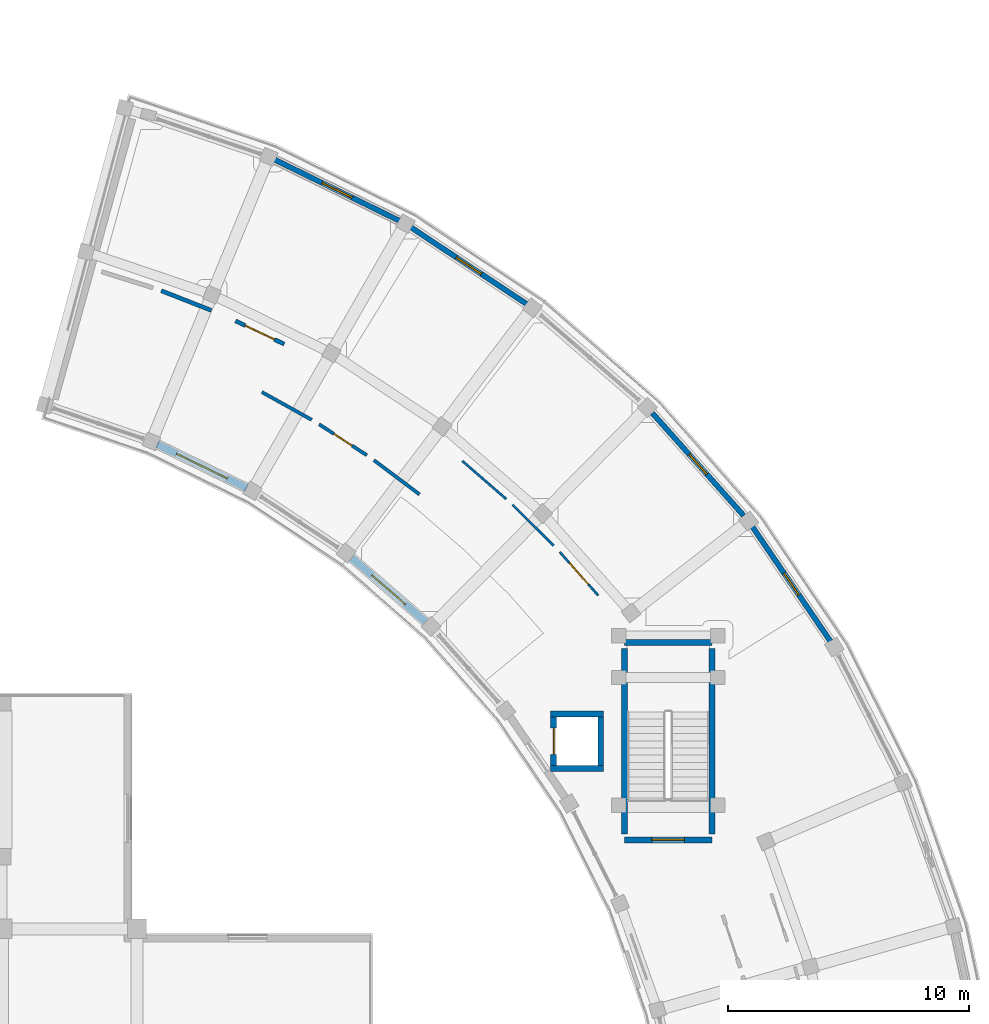
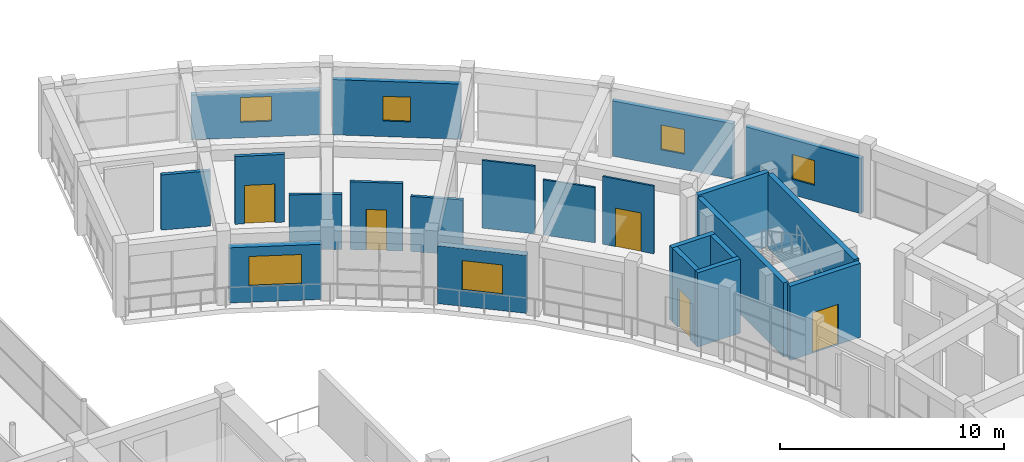
# One storey, part 53 of 70: 22 walls, 6 windows, 5 doors, 11 openings.
"""IFC4 building model written with IfcOpenShell, lengths in metres."""

from ifc_helpers import new_model, si_unit, direction, frame, frame_2d, origin, place, context, subcontext, project, spatial, rectangle, extrude, material, layer, layer_set, type_object, element, fill, save


model = new_model("IFC4")

# Units and contexts
model_context = context("Model", 3, precision=1e-05, world=origin(), true_north=direction((0.0, 1.0)))
body_context = subcontext(model_context, "Body", "Model", "MODEL_VIEW")
ifc_project = project(units=[si_unit("LENGTHUNIT", "METRE"), si_unit("AREAUNIT", "SQUARE_METRE"), si_unit("VOLUMEUNIT", "CUBIC_METRE"), si_unit("PLANEANGLEUNIT", "RADIAN"), si_unit("MASSUNIT", "GRAM", prefix="KILO")], contexts=[model_context])

# Site, building, storey
site_placement = place(None, origin())
site = spatial("IfcSite", under=ifc_project, at=site_placement, CompositionType="ELEMENT")
building_placement = place(site_placement, origin())
building = spatial("IfcBuilding", under=site, at=building_placement, Name="Saryqyr Civic Hall", CompositionType="ELEMENT")
storey_placement = place(building_placement, frame((0.0, 0.0, 13.199951171875)))
storey = spatial("IfcBuildingStorey", under=building, at=storey_placement, Name="L03", CompositionType="ELEMENT", Elevation=13.199951171875)

# Wall, opening, window
ifc_material_1 = material(Name="Precast concrete C40/50", Category="concrete")
ifc_layer_1 = layer(ifc_material_1, 0.219970703125, Name="Precast concrete C40/50")
ifc_layer_set_1 = layer_set([ifc_layer_1], Name="Precast concrete C40/50")
wall_type_1 = type_object("IfcWallType", Name="ENV-WAL-EXT-220", PredefinedType="STANDARD", material=ifc_layer_set_1)
wall_1_placement = place(storey_placement, frame((95.785888671875, 113.91552734375, 0.0), z_axis=(0.0, 0.0, 1.0), x_axis=(0.563132935525, -0.826366321269, 0.0)))
wall_1 = element("IfcWall", 1, at=wall_1_placement, inside=storey, type_object=wall_type_1, Name="Exterior wall V6-EWO-L03-04", PredefinedType="STANDARD", context=body_context, shape_type="SweptSolid", body=[
    extrude(rectangle(XDim=5.759521484375, YDim=0.219970703125, at=frame_2d((2.8798828125, 0.0))), origin(), (0.0, 0.0, 1.0), 3.01513671875),
])
opening_1_placement = place(wall_1_placement, frame((2.330078125, 0.0, 0.85009765625)))
opening_1 = element("IfcOpeningElement", 2, at=opening_1_placement, cuts=wall_1, Name="Opening W-01", PredefinedType="OPENING", context=body_context, shape_type="SweptSolid", body=[
    extrude(rectangle(XDim=1.10009765625, YDim=1.35009765625, at=frame_2d((0.550048828125, 0.675048828125))), frame((0.0, 0.119873046875, 0.0), z_axis=(0.0, -1.0, 0.0), x_axis=(1.0, 0.0, 0.0)), (0.0, 0.0, 1.0), 0.239990234375),
])
ifc_material_2 = material(Name="Anodised aluminium and triple low-E glass", Category="aluminium")
window_type_1 = type_object("IfcWindowType", Name="ENV-WIN-W01", PartitioningType="SINGLE_PANEL", PredefinedType="WINDOW", material=ifc_material_2)
window_1_placement = place(opening_1_placement, origin())
window_1 = element("IfcWindow", 3, at=window_1_placement, inside=storey, type_object=window_type_1, Name="Exterior ribbon window V6-L03-04", OverallHeight=1.35009765625, OverallWidth=1.10009765625, PartitioningType="SINGLE_PANEL", PredefinedType="WINDOW", context=body_context, shape_type="SweptSolid", body=[
    extrude(rectangle(XDim=1.10009765625, YDim=1.35009765625, at=frame_2d((0.550048828125, 0.675048828125))), frame((0.0, 0.030029296875, 0.0), z_axis=(0.0, -1.0, 0.0), x_axis=(1.0, 0.0, 0.0)), (0.0, 0.0, 1.0), 0.06005859375),
])
fill(opening_1, window_1)

wall_2_placement = place(storey_placement, frame((91.626953125, 118.642333984375, 0.0), z_axis=(0.0, 0.0, 1.0), x_axis=(0.6649220167, -0.746912787217, 0.0)))
wall_2 = element("IfcWall", 4, at=wall_2_placement, inside=storey, type_object=wall_type_1, Name="Exterior wall V6-EWO-L03-05", PredefinedType="STANDARD", context=body_context, shape_type="SweptSolid", body=[
    extrude(rectangle(XDim=5.69921875, YDim=0.219970703125, at=frame_2d((2.849609375, 0.0))), origin(), (0.0, 0.0, 1.0), 3.01513671875),
])
opening_2_placement = place(wall_2_placement, frame((2.300048828125, 0.0, 0.85009765625)))
opening_2 = element("IfcOpeningElement", 5, at=opening_2_placement, cuts=wall_2, Name="Opening W-01", PredefinedType="OPENING", context=body_context, shape_type="SweptSolid", body=[
    extrude(rectangle(XDim=1.10009765625, YDim=1.35009765625, at=frame_2d((0.550048828125, 0.675048828125))), frame((0.0, 0.119873046875, 0.0), z_axis=(0.0, -1.0, 0.0), x_axis=(1.0, 0.0, 0.0)), (0.0, 0.0, 1.0), 0.239990234375),
])
window_2_placement = place(opening_2_placement, origin())
window_2 = element("IfcWindow", 6, at=window_2_placement, inside=storey, type_object=window_type_1, Name="Exterior ribbon window V6-L03-05", OverallHeight=1.35009765625, OverallWidth=1.10009765625, PartitioningType="SINGLE_PANEL", PredefinedType="WINDOW", context=body_context, shape_type="SweptSolid", body=[
    extrude(rectangle(XDim=1.10009765625, YDim=1.35009765625, at=frame_2d((0.550048828125, 0.675048828125))), frame((0.0, 0.030029296875, 0.0), z_axis=(0.0, -1.0, 0.0), x_axis=(1.0, 0.0, 0.0)), (0.0, 0.0, 1.0), 0.06005859375),
])
fill(opening_2, window_2)

wall_3_placement = place(storey_placement, frame((81.593994140625, 126.360595703125, 0.0), z_axis=(0.0, 0.0, 1.0), x_axis=(0.833772811773, -0.552107687276, 0.0)))
wall_3 = element("IfcWall", 7, at=wall_3_placement, inside=storey, type_object=wall_type_1, Name="Exterior wall V6-EWO-L03-07", PredefinedType="STANDARD", context=body_context, shape_type="SweptSolid", body=[
    extrude(rectangle(XDim=5.764892578125, YDim=0.219970703125, at=frame_2d((2.88232421875, 0.0))), origin(), (0.0, 0.0, 1.0), 3.01513671875),
])
opening_3_placement = place(wall_3_placement, frame((2.257080078125, 0.0, 0.85009765625)))
opening_3 = element("IfcOpeningElement", 8, at=opening_3_placement, cuts=wall_3, Name="Opening W-02", PredefinedType="OPENING", context=body_context, shape_type="SweptSolid", body=[
    extrude(rectangle(XDim=1.25, YDim=1.35009765625, at=frame_2d((0.625, 0.675048828125))), frame((0.0, 0.119873046875, 0.0), z_axis=(0.0, -1.0, 0.0), x_axis=(1.0, 0.0, 0.0)), (0.0, 0.0, 1.0), 0.239990234375),
])
window_type_2 = type_object("IfcWindowType", Name="ENV-WIN-W02", PartitioningType="SINGLE_PANEL", PredefinedType="WINDOW", material=ifc_material_2)
window_3_placement = place(opening_3_placement, origin())
window_3 = element("IfcWindow", 9, at=window_3_placement, inside=storey, type_object=window_type_2, Name="Exterior ribbon window V6-L03-07", OverallHeight=1.35009765625, OverallWidth=1.25, PartitioningType="SINGLE_PANEL", PredefinedType="WINDOW", context=body_context, shape_type="SweptSolid", body=[
    extrude(rectangle(XDim=1.25, YDim=1.35009765625, at=frame_2d((0.625, 0.675048828125))), frame((0.0, 0.030029296875, 0.0), z_axis=(0.0, -1.0, 0.0), x_axis=(1.0, 0.0, 0.0)), (0.0, 0.0, 1.0), 0.06005859375),
])
fill(opening_3, window_3)

wall_4_placement = place(storey_placement, frame((75.911376953125, 129.185791015625, 0.0), z_axis=(0.0, 0.0, 1.0), x_axis=(0.897990135392, -0.440015586927, 0.0)))
wall_4 = element("IfcWall", 10, at=wall_4_placement, inside=storey, type_object=wall_type_1, Name="Exterior wall V6-EWO-L03-08", PredefinedType="STANDARD", context=body_context, shape_type="SweptSolid", body=[
    extrude(rectangle(XDim=5.8046875, YDim=0.219970703125, at=frame_2d((2.90234375, 0.0))), origin(), (0.0, 0.0, 1.0), 2.449951171875),
])
opening_4_placement = place(wall_4_placement, frame((2.201904296875, 0.0, 0.85009765625)))
opening_4 = element("IfcOpeningElement", 11, at=opening_4_placement, cuts=wall_4, Name="Opening W-03", PredefinedType="OPENING", context=body_context, shape_type="SweptSolid", body=[
    extrude(rectangle(XDim=1.39990234375, YDim=1.35009765625, at=frame_2d((0.699951171875, 0.675048828125))), frame((0.0, 0.119873046875, 0.0), z_axis=(0.0, -1.0, 0.0), x_axis=(1.0, 0.0, 0.0)), (0.0, 0.0, 1.0), 0.239990234375),
])
window_type_3 = type_object("IfcWindowType", Name="ENV-WIN-W03", PartitioningType="SINGLE_PANEL", PredefinedType="WINDOW", material=ifc_material_2)
window_4_placement = place(opening_4_placement, origin())
window_4 = element("IfcWindow", 12, at=window_4_placement, inside=storey, type_object=window_type_3, Name="Exterior ribbon window V6-L03-08", OverallHeight=1.35009765625, OverallWidth=1.39990234375, PartitioningType="SINGLE_PANEL", PredefinedType="WINDOW", context=body_context, shape_type="SweptSolid", body=[
    extrude(rectangle(XDim=1.39990234375, YDim=1.35009765625, at=frame_2d((0.699951171875, 0.675048828125))), frame((0.0, 0.030029296875, 0.0), z_axis=(0.0, -1.0, 0.0), x_axis=(1.0, 0.0, 0.0)), (0.0, 0.0, 1.0), 0.06005859375),
])
fill(opening_4, window_4)

ifc_layer_2 = layer(ifc_material_1, 0.31005859375, Name="Precast concrete C40/50")
ifc_layer_set_2 = layer_set([ifc_layer_2], Name="Precast concrete C40/50")
wall_type_2 = type_object("IfcWallType", Name="ENV-WAL-EXT-310", PredefinedType="STANDARD", material=ifc_layer_set_2)
wall_5_placement = place(storey_placement, frame((82.19189453125, 109.97021484375, 0.0), z_axis=(0.0, 0.0, 1.0), x_axis=(-0.755665234257, 0.654958054943, 0.0)))
wall_5 = element("IfcWall", 13, at=wall_5_placement, inside=storey, type_object=wall_type_2, Name="Exterior wall V6-EWI-L03-06", PredefinedType="STANDARD", context=body_context, shape_type="SweptSolid", body=[
    extrude(rectangle(XDim=4.053466796875, YDim=0.31005859375, at=frame_2d((2.02685546875, 0.0))), origin(), (0.0, 0.0, 1.0), 3.1650390625),
])
opening_5_placement = place(wall_5_placement, frame((1.10205078125, 0.0, 0.85009765625)))
opening_5 = element("IfcOpeningElement", 14, at=opening_5_placement, cuts=wall_5, Name="Opening W-20", PredefinedType="OPENING", context=body_context, shape_type="SweptSolid", body=[
    extrude(rectangle(XDim=1.85009765625, YDim=1.64990234375, at=frame_2d((0.925048828125, 0.824951171875))), frame((0.0, 0.1650390625, 0.0), z_axis=(0.0, -1.0, 0.0), x_axis=(1.0, 0.0, 0.0)), (0.0, 0.0, 1.0), 0.330078125),
])
window_type_4 = type_object("IfcWindowType", Name="ENV-WIN-W20", PartitioningType="SINGLE_PANEL", PredefinedType="WINDOW", material=ifc_material_2)
window_5_placement = place(opening_5_placement, origin())
window_5 = element("IfcWindow", 15, at=window_5_placement, inside=storey, type_object=window_type_4, Name="Courtyard window V6-L03-06", OverallHeight=1.64990234375, OverallWidth=1.85009765625, PartitioningType="SINGLE_PANEL", PredefinedType="WINDOW", context=body_context, shape_type="SweptSolid", body=[
    extrude(rectangle(XDim=1.85009765625, YDim=1.64990234375, at=frame_2d((0.925048828125, 0.824951171875))), frame((0.0, 0.030029296875, 0.0), z_axis=(0.0, -1.0, 0.0), x_axis=(1.0, 0.0, 0.0)), (0.0, 0.0, 1.0), 0.06005859375),
])
fill(opening_5, window_5)

wall_6_placement = place(storey_placement, frame((74.760986328125, 115.525146484375, 0.0), z_axis=(0.0, 0.0, 1.0), x_axis=(-0.897962186219, 0.440072621417, 0.0)))
wall_6 = element("IfcWall", 16, at=wall_6_placement, inside=storey, type_object=wall_type_2, Name="Exterior wall V6-EWI-L03-08", PredefinedType="STANDARD", context=body_context, shape_type="SweptSolid", body=[
    extrude(rectangle(XDim=4.15185546875, YDim=0.31005859375, at=frame_2d((2.075927734375, 0.0))), origin(), (0.0, 0.0, 1.0), 3.01513671875),
])
opening_6_placement = place(wall_6_placement, frame((0.90087890625, 0.0, 0.85009765625)))
opening_6 = element("IfcOpeningElement", 17, at=opening_6_placement, cuts=wall_6, Name="Opening W-22", PredefinedType="OPENING", context=body_context, shape_type="SweptSolid", body=[
    extrude(rectangle(XDim=2.35009765625, YDim=1.64990234375, at=frame_2d((1.175048828125, 0.824951171875))), frame((0.0, 0.1650390625, 0.0), z_axis=(0.0, -1.0, 0.0), x_axis=(1.0, 0.0, 0.0)), (0.0, 0.0, 1.0), 0.330078125),
])
window_type_5 = type_object("IfcWindowType", Name="ENV-WIN-W22", PartitioningType="SINGLE_PANEL", PredefinedType="WINDOW", material=ifc_material_2)
window_6_placement = place(opening_6_placement, origin())
window_6 = element("IfcWindow", 18, at=window_6_placement, inside=storey, type_object=window_type_5, Name="Courtyard window V6-L03-08", OverallHeight=1.64990234375, OverallWidth=2.35009765625, PartitioningType="SINGLE_PANEL", PredefinedType="WINDOW", context=body_context, shape_type="SweptSolid", body=[
    extrude(rectangle(XDim=2.35009765625, YDim=1.64990234375, at=frame_2d((1.175048828125, 0.824951171875))), frame((0.0, 0.030029296875, 0.0), z_axis=(0.0, -1.0, 0.0), x_axis=(1.0, 0.0, 0.0)), (0.0, 0.0, 1.0), 0.06005859375),
])
fill(opening_6, window_6)

# Wall
ifc_material_3 = material(Name="Lightweight demountable partition", Category="gypsum")
ifc_layer_3 = layer(ifc_material_3, 0.094970703125, Name="Lightweight demountable partition")
ifc_layer_set_3 = layer_set([ifc_layer_3], Name="Lightweight demountable partition")
wall_type_3 = type_object("IfcWallType", Name="INT-WAL-PRT-095", PredefinedType="PARTITIONING", material=ifc_layer_set_3)
wall_7_placement = place(storey_placement, frame((87.525146484375, 113.130615234375, 0.0), z_axis=(0.0, 0.0, 1.0), x_axis=(-0.710838669343, 0.703355092514, 0.0)))
element("IfcWall", 19, at=wall_7_placement, inside=storey, type_object=wall_type_3, Name="Interior partition PRT-SP-V6-L03-R02-W1", PredefinedType="PARTITIONING", context=body_context, shape_type="SweptSolid", body=[
    extrude(rectangle(XDim=2.4140625, YDim=0.094970703125, at=frame_2d((1.20703125, 0.0))), origin(), (0.0, 0.0, 1.0), 3.01513671875),
])

# Wall, opening, door
wall_8_placement = place(storey_placement, frame((89.373046875, 111.06201171875, 0.0), z_axis=(0.0, 0.0, 1.0), x_axis=(-0.663032006794, 0.748591048549, 0.0)))
wall_8 = element("IfcWall", 20, at=wall_8_placement, inside=storey, type_object=wall_type_3, Name="Interior partition PRT-SP-V6-L03-R02-W2", PredefinedType="PARTITIONING", context=body_context, shape_type="SweptSolid", body=[
    extrude(rectangle(XDim=2.4140625, YDim=0.094970703125, at=frame_2d((1.20703125, 0.0))), origin(), (0.0, 0.0, 1.0), 3.699951171875),
])
opening_7_placement = place(wall_8_placement, frame((0.60693359375, 0.0, 0.0)))
opening_7 = element("IfcOpeningElement", 21, at=opening_7_placement, cuts=wall_8, Name="Opening D-06", PredefinedType="OPENING", context=body_context, shape_type="SweptSolid", body=[
    extrude(rectangle(XDim=1.199951171875, YDim=2.10009765625, at=frame_2d((0.60009765625, 1.050048828125))), frame((0.0, 0.057373046875, 0.0), z_axis=(0.0, -1.0, 0.0), x_axis=(1.0, 0.0, 0.0)), (0.0, 0.0, 1.0), 0.114990234375),
])
ifc_material_4 = material(Name="Acoustic solid-core oak veneer", Category="wood")
door_type_1 = type_object("IfcDoorType", Name="INT-DR-D-06", OperationType="NOTDEFINED", PredefinedType="DOOR", material=ifc_material_4)
door_1_placement = place(opening_7_placement, origin())
door_1 = element("IfcDoor", 22, at=door_1_placement, inside=storey, type_object=door_type_1, Name="Interior door Building Control & Seismic Safety Inspectorate", OperationType="SINGLE_SWING_LEFT", OverallHeight=2.10009765625, OverallWidth=1.199951171875, PredefinedType="DOOR", context=body_context, shape_type="SweptSolid", body=[
    extrude(rectangle(XDim=1.199951171875, YDim=2.10009765625, at=frame_2d((0.60009765625, 1.050048828125))), frame((0.0, 0.02490234375, 0.0), z_axis=(0.0, -1.0, 0.0), x_axis=(1.0, 0.0, 0.0)), (0.0, 0.0, 1.0), 0.050048828125),
])
fill(opening_7, door_1)

# Wall
wall_9_placement = place(storey_placement, frame((85.54541015625, 115.072998046875, 0.0), z_axis=(0.0, 0.0, 1.0), x_axis=(-0.755482181384, 0.655169194644, 0.0)))
element("IfcWall", 23, at=wall_9_placement, inside=storey, type_object=wall_type_3, Name="Interior partition PRT-SP-V6-L03-R02-W3", PredefinedType="PARTITIONING", context=body_context, shape_type="SweptSolid", body=[
    extrude(rectangle(XDim=2.414306640625, YDim=0.094970703125, at=frame_2d((1.20703125, 0.0))), origin(), (0.0, 0.0, 1.0), 3.699951171875),
])

# Wall, opening, door
ifc_material_5 = material(Name="Metal-stud gypsum board partition", Category="gypsum")
ifc_layer_4 = layer(ifc_material_5, 0.139892578125, Name="Metal-stud gypsum board partition")
ifc_layer_set_4 = layer_set([ifc_layer_4], Name="Metal-stud gypsum board partition")
wall_type_4 = type_object("IfcWallType", Name="INT-WAL-PRT-140", PredefinedType="PARTITIONING", material=ifc_layer_set_4)
wall_10_placement = place(storey_placement, frame((77.7685546875, 118.17919921875, 0.0), z_axis=(0.0, 0.0, 1.0), x_axis=(0.838858169796, -0.544350044517, 0.0)))
wall_10 = element("IfcWall", 24, at=wall_10_placement, inside=storey, type_object=wall_type_4, Name="Interior partition PRT-SP-V6-L03-R05-W1", PredefinedType="PARTITIONING", context=body_context, shape_type="SweptSolid", body=[
    extrude(rectangle(XDim=2.36669921875, YDim=0.139892578125, at=frame_2d((1.183349609375, 0.0))), origin(), (0.0, 0.0, 1.0), 3.699951171875),
])
opening_8_placement = place(wall_10_placement, frame((0.73291015625, 0.0, 0.0)))
opening_8 = element("IfcOpeningElement", 25, at=opening_8_placement, cuts=wall_10, Name="Opening D-09", PredefinedType="OPENING", context=body_context, shape_type="SweptSolid", body=[
    extrude(rectangle(XDim=0.89990234375, YDim=2.219970703125, at=frame_2d((0.449951171875, 1.10986328125))), frame((0.0, 0.079833984375, 0.0), z_axis=(0.0, -1.0, 0.0), x_axis=(1.0, 0.0, 0.0)), (0.0, 0.0, 1.0), 0.159912109375),
])
door_type_2 = type_object("IfcDoorType", Name="INT-DR-D-09", OperationType="NOTDEFINED", PredefinedType="DOOR", material=ifc_material_4)
door_2_placement = place(opening_8_placement, origin())
door_2 = element("IfcDoor", 26, at=door_2_placement, inside=storey, type_object=door_type_2, Name="Interior door Inter-Agency Coordination Room", OperationType="SINGLE_SWING_RIGHT", OverallHeight=2.219970703125, OverallWidth=0.89990234375, PredefinedType="DOOR", context=body_context, shape_type="SweptSolid", body=[
    extrude(rectangle(XDim=0.89990234375, YDim=2.219970703125, at=frame_2d((0.449951171875, 1.10986328125))), frame((0.0, 0.02490234375, 0.0), z_axis=(0.0, -1.0, 0.0), x_axis=(1.0, 0.0, 0.0)), (0.0, 0.0, 1.0), 0.050048828125),
])
fill(opening_8, door_2)

# Walls
for number, where, z_axis, x_axis, name in (
    (27, (75.3916015625, 119.5146484375, 0.0), (0.0, 0.0, 1.0), (0.87399179581, -0.485940676273, 0.0), "Interior partition PRT-SP-V6-L03-R05-W2"),
    (28, (80.048828125, 116.684814453125, 0.0), (0.0, 0.0, 1.0), (0.799777154205, -0.600297012829, 0.0), "Interior partition PRT-SP-V6-L03-R05-W3"),
):
    element("IfcWall", number, at=place(storey_placement, frame(where, z_axis=z_axis, x_axis=x_axis)), inside=storey, type_object=wall_type_4, Name=name, PredefinedType="PARTITIONING", context=body_context, shape_type="SweptSolid", body=[
        extrude(rectangle(XDim=2.366943359375, YDim=0.139892578125, at=frame_2d((1.18359375, 0.0))), origin(), (0.0, 0.0, 1.0), 3.01513671875),
    ])

# Wall, opening, door
ifc_material_6 = material(Name="Acoustic double-stud gypsum board", Category="gypsum")
ifc_layer_5 = layer(ifc_material_6, 0.169921875, Name="Acoustic double-stud gypsum board")
ifc_layer_set_5 = layer_set([ifc_layer_5], Name="Acoustic double-stud gypsum board")
wall_type_5 = type_object("IfcWallType", Name="INT-WAL-PRT-170", PredefinedType="PARTITIONING", material=ifc_layer_set_5)
wall_11_placement = place(storey_placement, frame((76.314208984375, 121.513916015625, 0.0), z_axis=(0.0, 0.0, 1.0), x_axis=(-0.902799981711, 0.430060685279, 0.0)))
wall_11 = element("IfcWall", 29, at=wall_11_placement, inside=storey, type_object=wall_type_5, Name="Interior partition PRT-SP-V6-L03-R03-W1", PredefinedType="PARTITIONING", context=body_context, shape_type="SweptSolid", body=[
    extrude(rectangle(XDim=2.236572265625, YDim=0.169921875, at=frame_2d((1.1181640625, 0.0))), origin(), (0.0, 0.0, 1.0), 3.699951171875),
])
opening_9_placement = place(wall_11_placement, frame((0.443115234375, 0.0, 0.0)))
opening_9 = element("IfcOpeningElement", 30, at=opening_9_placement, cuts=wall_11, Name="Opening D-07", PredefinedType="OPENING", context=body_context, shape_type="SweptSolid", body=[
    extrude(rectangle(XDim=1.35009765625, YDim=2.10009765625, at=frame_2d((0.675048828125, 1.050048828125))), frame((0.0, 0.094970703125, 0.0), z_axis=(0.0, -1.0, 0.0), x_axis=(1.0, 0.0, 0.0)), (0.0, 0.0, 1.0), 0.18994140625),
])
door_type_3 = type_object("IfcDoorType", Name="INT-DR-D-07", OperationType="NOTDEFINED", PredefinedType="DOOR", material=ifc_material_4)
door_3_placement = place(opening_9_placement, origin())
door_3 = element("IfcDoor", 31, at=door_3_placement, inside=storey, type_object=door_type_3, Name="Interior door Staff & Accessible MGN WC L03-N", OperationType="SINGLE_SWING_RIGHT", OverallHeight=2.10009765625, OverallWidth=1.35009765625, PredefinedType="DOOR", context=body_context, shape_type="SweptSolid", body=[
    extrude(rectangle(XDim=1.35009765625, YDim=2.10009765625, at=frame_2d((0.675048828125, 1.050048828125))), frame((0.0, 0.02490234375, 0.0), z_axis=(0.0, -1.0, 0.0), x_axis=(1.0, 0.0, 0.0)), (0.0, 0.0, 1.0), 0.050048828125),
])
fill(opening_9, door_3)

# Walls
wall_12_placement = place(storey_placement, frame((73.28662109375, 122.91357421875, 0.0), z_axis=(0.0, 0.0, 1.0), x_axis=(-0.930799244524, 0.365530800881, 0.0)))
element("IfcWall", 32, at=wall_12_placement, inside=storey, type_object=wall_type_5, Name="Interior partition PRT-SP-V6-L03-R03-W2", PredefinedType="PARTITIONING", context=body_context, shape_type="SweptSolid", body=[
    extrude(rectangle(XDim=2.23681640625, YDim=0.169921875, at=frame_2d((1.118408203125, 0.0))), origin(), (0.0, 0.0, 1.0), 3.01513671875),
])
ifc_material_7 = material(Name="Concrete C40/50", Category="concrete")
ifc_layer_6 = layer(ifc_material_7, 0.239990234375, Name="Concrete C40/50")
ifc_layer_set_6 = layer_set([ifc_layer_6], Name="Concrete C40/50")
wall_type_6 = type_object("IfcWallType", Name="INT-WAL-SHR-240", PredefinedType="SHEAR", material=ifc_layer_set_6)
wall_13_placement = place(storey_placement, frame((89.60009765625, 103.8701171875, 0.0), z_axis=(0.0, 0.0, 1.0), x_axis=(-1.0, 0.0, 0.0)))
element("IfcWall", 33, at=wall_13_placement, inside=storey, type_object=wall_type_6, Name="Lift shaft shear wall LF-08-SHW-S-L03", PredefinedType="SHEAR", context=body_context, shape_type="SweptSolid", body=[
    extrude(rectangle(XDim=2.2001953125, YDim=0.239990234375, at=frame_2d((1.10009765625, 0.0))), origin(), (0.0, 0.0, 1.0), 4.050048828125),
])
wall_14_placement = place(storey_placement, frame((89.47998046875, 106.010009765625, 0.0), z_axis=(0.0, 0.0, 1.0), x_axis=(0.0, -1.0, 0.0)))
element("IfcWall", 34, at=wall_14_placement, inside=storey, type_object=wall_type_6, Name="Lift shaft shear wall LF-08-SHW-E-L03", PredefinedType="SHEAR", context=body_context, shape_type="SweptSolid", body=[
    extrude(rectangle(XDim=2.02001953125, YDim=0.239990234375, at=frame_2d((1.010009765625, 0.0))), origin(), (0.0, 0.0, 1.0), 4.050048828125),
])
wall_15_placement = place(storey_placement, frame((87.39990234375, 106.1298828125, 0.0), z_axis=(0.0, 0.0, 1.0), x_axis=(1.0, 0.0, 0.0)))
element("IfcWall", 35, at=wall_15_placement, inside=storey, type_object=wall_type_6, Name="Lift shaft shear wall LF-08-SHW-N-L03", PredefinedType="SHEAR", context=body_context, shape_type="SweptSolid", body=[
    extrude(rectangle(XDim=2.2001953125, YDim=0.239990234375, at=frame_2d((1.10009765625, 0.0))), origin(), (0.0, 0.0, 1.0), 4.050048828125),
])

# Wall, opening, door
wall_16_placement = place(storey_placement, frame((87.52001953125, 103.989990234375, 0.0), z_axis=(0.0, 0.0, 1.0), x_axis=(0.0, 1.0, 0.0)))
wall_16 = element("IfcWall", 36, at=wall_16_placement, inside=storey, type_object=wall_type_6, Name="Lift shaft shear wall LF-08-SHW-W-L03", PredefinedType="SHEAR", context=body_context, shape_type="SweptSolid", body=[
    extrude(rectangle(XDim=2.02001953125, YDim=0.239990234375, at=frame_2d((1.010009765625, 0.0))), origin(), (0.0, 0.0, 1.0), 4.050048828125),
])
opening_10_placement = place(wall_16_placement, frame((0.4599609375, 0.0, 0.0)))
opening_10 = element("IfcOpeningElement", 37, at=opening_10_placement, cuts=wall_16, Name="Opening LD-01", PredefinedType="OPENING", context=body_context, shape_type="SweptSolid", body=[
    extrude(rectangle(XDim=1.10009765625, YDim=2.14990234375, at=frame_2d((0.550048828125, 1.074951171875))), frame((0.0, 0.1298828125, 0.0), z_axis=(0.0, -1.0, 0.0), x_axis=(1.0, 0.0, 0.0)), (0.0, 0.0, 1.0), 0.260009765625),
])
ifc_material_8 = material(Name="Brushed stainless steel", Category="steel")
door_type_4 = type_object("IfcDoorType", Name="INT-DR-LD-1100x2150", OperationType="NOTDEFINED", PredefinedType="DOOR", material=ifc_material_8)
door_4_placement = place(opening_10_placement, origin())
door_4 = element("IfcDoor", 38, at=door_4_placement, inside=storey, type_object=door_type_4, Name="Lift sliding landing door LF-08 L03", OperationType="SLIDING_TO_RIGHT", OverallHeight=2.14990234375, OverallWidth=1.10009765625, PredefinedType="DOOR", context=body_context, shape_type="SweptSolid", body=[
    extrude(rectangle(XDim=1.10009765625, YDim=2.14990234375, at=frame_2d((0.550048828125, 1.074951171875))), frame((0.0, 0.02490234375, 0.0), z_axis=(0.0, -1.0, 0.0), x_axis=(1.0, 0.0, 0.0)), (0.0, 0.0, 1.0), 0.050048828125),
])
fill(opening_10, door_4)

ifc_layer_7 = layer(ifc_material_7, 0.25, Name="Concrete C40/50")
ifc_layer_set_7 = layer_set([ifc_layer_7], Name="Concrete C40/50")
wall_type_7 = type_object("IfcWallType", Name="INT-WAL-SHR-250", PredefinedType="SHEAR", material=ifc_layer_set_7)
wall_17_placement = place(storey_placement, frame((94.10009765625, 100.89990234375, 0.0), z_axis=(0.0, 0.0, 1.0), x_axis=(-1.0, 0.0, 0.0)))
wall_17 = element("IfcWall", 39, at=wall_17_placement, inside=storey, type_object=wall_type_7, Name="Protected stair shaft wall ST-6-SW1-L03", PredefinedType="SHEAR", context=body_context, shape_type="SweptSolid", body=[
    extrude(rectangle(XDim=3.64013671875, YDim=0.25, at=frame_2d((1.820068359375, 0.0))), origin(), (0.0, 0.0, 1.0), 4.050048828125),
])
opening_11_placement = place(wall_17_placement, frame((1.14501953125, 0.0, 0.0)))
opening_11 = element("IfcOpeningElement", 40, at=opening_11_placement, cuts=wall_17, Name="Opening SD-01", PredefinedType="OPENING", context=body_context, shape_type="SweptSolid", body=[
    extrude(rectangle(XDim=1.35009765625, YDim=2.199951171875, at=frame_2d((0.675048828125, 1.10009765625))), frame((0.0, 0.135009765625, 0.0), z_axis=(0.0, -1.0, 0.0), x_axis=(1.0, 0.0, 0.0)), (0.0, 0.0, 1.0), 0.27001953125),
])
ifc_material_9 = material(Name="Painted galvanized steel", Category="steel")
door_type_5 = type_object("IfcDoorType", Name="INT-DR-STAIR-1350x2200", OperationType="NOTDEFINED", PredefinedType="DOOR", material=ifc_material_9)
door_5_placement = place(opening_11_placement, origin())
door_5 = element("IfcDoor", 41, at=door_5_placement, inside=storey, type_object=door_type_5, Name="Exit stair landing fire door ST-6-L03", OperationType="SINGLE_SWING_LEFT", OverallHeight=2.199951171875, OverallWidth=1.35009765625, PredefinedType="DOOR", context=body_context, shape_type="SweptSolid", body=[
    extrude(rectangle(XDim=1.35009765625, YDim=2.199951171875, at=frame_2d((0.675048828125, 1.10009765625))), frame((0.0, 0.02490234375, 0.0), z_axis=(0.0, -1.0, 0.0), x_axis=(1.0, 0.0, 0.0)), (0.0, 0.0, 1.0), 0.050048828125),
])
fill(opening_11, door_5)

# Walls
wall_18_placement = place(storey_placement, frame((90.4599609375, 101.14990234375, 0.0), z_axis=(0.0, 0.0, 1.0), x_axis=(0.0, 1.0, 0.0)))
element("IfcWall", 42, at=wall_18_placement, inside=storey, type_object=wall_type_7, Name="Protected stair shaft wall ST-6-SW2-L03", PredefinedType="SHEAR", context=body_context, shape_type="SweptSolid", body=[
    extrude(rectangle(XDim=7.7001953125, YDim=0.25, at=frame_2d((3.85009765625, 0.0))), origin(), (0.0, 0.0, 1.0), 4.050048828125),
])
wall_19_placement = place(storey_placement, frame((90.4599609375, 109.10009765625, 0.0), z_axis=(0.0, 0.0, 1.0), x_axis=(1.0, 0.0, 0.0)))
element("IfcWall", 43, at=wall_19_placement, inside=storey, type_object=wall_type_7, Name="Protected stair shaft wall ST-6-SW3-L03", PredefinedType="SHEAR", context=body_context, shape_type="SweptSolid", body=[
    extrude(rectangle(XDim=3.64013671875, YDim=0.25, at=frame_2d((1.820068359375, 0.0))), origin(), (0.0, 0.0, 1.0), 4.050048828125),
])
wall_20_placement = place(storey_placement, frame((94.10009765625, 108.85009765625, 0.0), z_axis=(0.0, 0.0, 1.0), x_axis=(0.0, -1.0, 0.0)))
element("IfcWall", 44, at=wall_20_placement, inside=storey, type_object=wall_type_7, Name="Protected stair shaft wall ST-6-SW4-L03", PredefinedType="SHEAR", context=body_context, shape_type="SweptSolid", body=[
    extrude(rectangle(XDim=7.7001953125, YDim=0.25, at=frame_2d((3.85009765625, 0.0))), origin(), (0.0, 0.0, 1.0), 4.050048828125),
])

save(model, "model.ifc")
